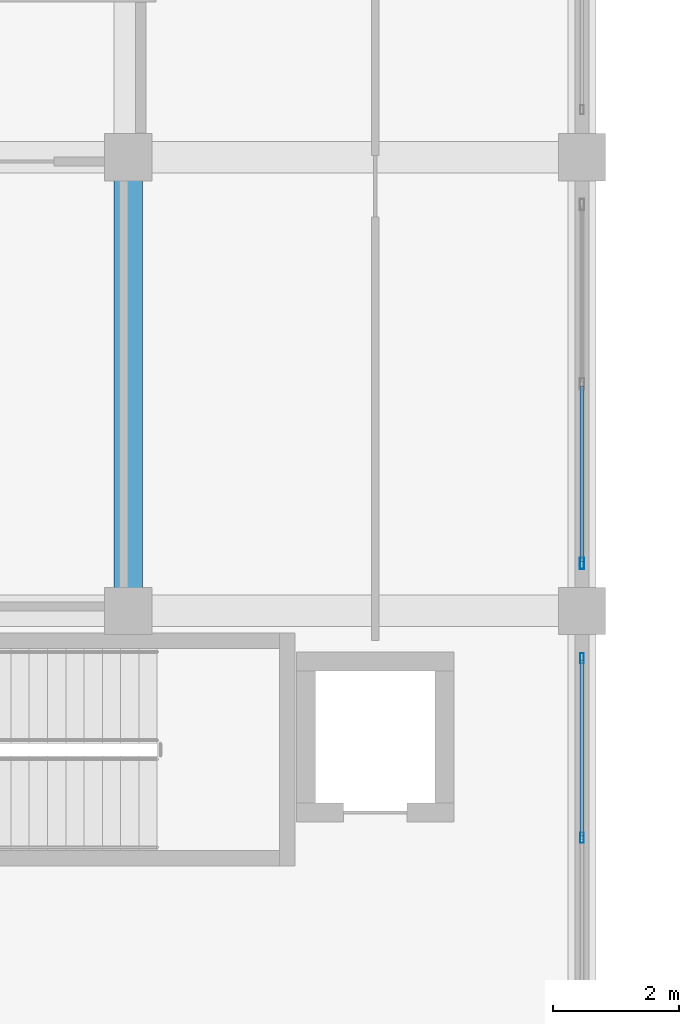
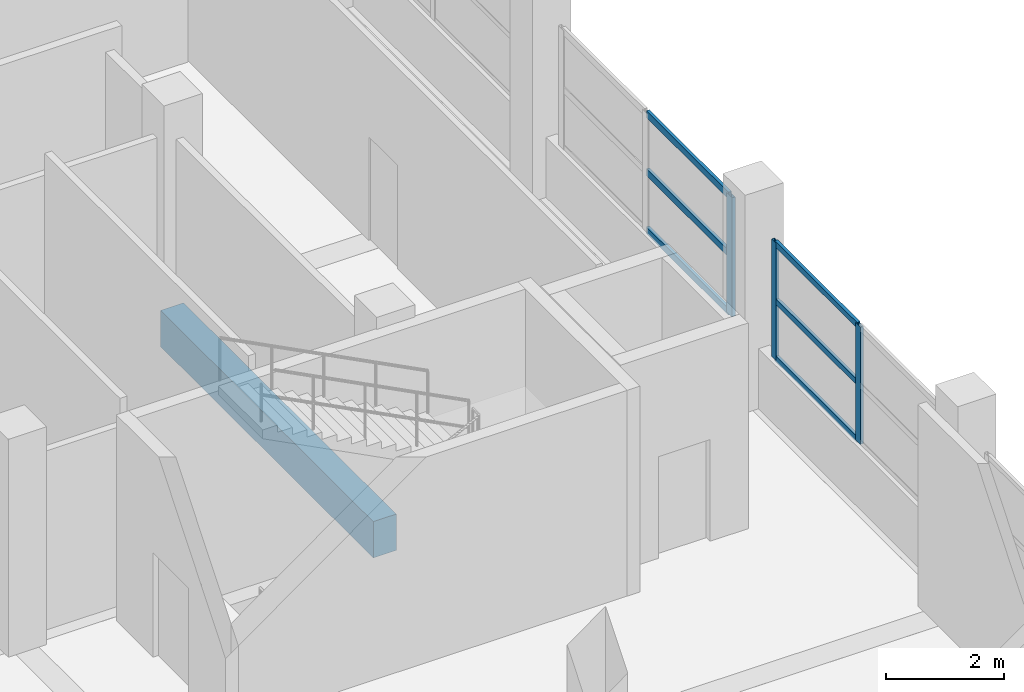
# One storey, part 20 of 141: 9 members, 1 beam, 2 elements without a shape of their own.
"""IFC4 building model written with IfcOpenShell, lengths in metres."""

from ifc_helpers import new_model, si_unit, direction, frame, origin, origin_2d, place, context, subcontext, project, spatial, rectangle, hollow_rectangle, extrude, material, layer, layer_set, material_profile, profile_set, type_object, element, aggregate, save


model = new_model("IFC4")

# Units and contexts
model_context = context("Model", 3, precision=1e-05, world=origin(), true_north=direction((0.0, 1.0)))
body_context = subcontext(model_context, "Body", "Model", "MODEL_VIEW")
ifc_project = project(units=[si_unit("LENGTHUNIT", "METRE"), si_unit("AREAUNIT", "SQUARE_METRE"), si_unit("VOLUMEUNIT", "CUBIC_METRE"), si_unit("PLANEANGLEUNIT", "RADIAN"), si_unit("MASSUNIT", "GRAM", prefix="KILO")], contexts=[model_context])

# Site, building, storey
site_placement = place(None, origin())
site = spatial("IfcSite", under=ifc_project, at=site_placement, CompositionType="ELEMENT")
building_placement = place(site_placement, origin())
building = spatial("IfcBuilding", under=site, at=building_placement, Name="Seraya Terrace Polytechnic", CompositionType="ELEMENT")
storey_placement = place(building_placement, frame((0.0, 0.0, 14.39990234375)))
storey = spatial("IfcBuildingStorey", under=building, at=storey_placement, Name="L03", CompositionType="ELEMENT", Elevation=14.39990234375)

# Beam
ifc_material_1 = material(Name="Concrete C40/50", Category="concrete")
ifc_material_profile_1 = material_profile(ifc_material_1, rectangle(XDim=0.449951171875, YDim=0.75, at=origin_2d()), Name="RC 450x750")
ifc_profile_set_1 = profile_set([ifc_material_profile_1], Name="Concrete C40/50")
beam_type = type_object("IfcBeamType", Name="BM-08", PredefinedType="BEAM", material=ifc_profile_set_1)
beam_placement = place(storey_placement, frame((36.0, 43.199951171875, -0.375), z_axis=(0.0, 1.0, 0.0), x_axis=(-1.0, 0.0, 0.0)))
element("IfcBeam", 1, at=beam_placement, inside=storey, type_object=beam_type, Name="Beam BM-08 L03 Y (36.0, 43.2..50.4)", PredefinedType="BEAM", context=body_context, shape_type="SweptSolid", body=[
    extrude(rectangle(XDim=0.449951171875, YDim=0.75, at=origin_2d()), origin(), (0.0, 0.0, 1.0), 7.199951171875),
])

# Curtain wall, member
ifc_material_2 = material(Name="Anodised aluminium EN AW-6063 T6", Category="aluminium")
ifc_layer_1 = layer(ifc_material_2, 0.179931640625, Name="CW-04")
ifc_layer_set_1 = layer_set([ifc_layer_1], Name="Anodised aluminium EN AW-6063 T6")
curtain_wall_type_1 = type_object("IfcCurtainWallType", Name="CW-04", PredefinedType="NOTDEFINED", material=ifc_layer_set_1)
curtain_wall_1_placement = place(storey_placement, origin())
curtain_wall_1 = element("IfcCurtainWall", 2, at=curtain_wall_1_placement, inside=storey, type_object=curtain_wall_type_1, Name="Unitised curtain wall CW-04 (CW-L03-148)", PredefinedType="NOTDEFINED")
ifc_material_profile_2 = material_profile(ifc_material_2, hollow_rectangle(XDim=0.06494140625, YDim=0.179931640625, WallThickness=0.00390625, at=origin_2d()), Name="RHS 180x65x4.0")
ifc_profile_set_2 = profile_set([ifc_material_profile_2], Name="Anodised aluminium EN AW-6063 T6")
member_type_1 = type_object("IfcMemberType", Name="CWM-01", PredefinedType="MULLION", material=ifc_profile_set_2)
member_1_placement = place(storey_placement, frame((43.199951171875, 43.952392578125, 1.239990234375), z_axis=(0.0, 0.0, 1.0), x_axis=(1.0, 0.0, 0.0)))
member_1 = element("IfcMember", 3, at=member_1_placement, type_object=member_type_1, Name="CW-04 mullion 3", PredefinedType="MULLION", context=body_context, shape_type="SweptSolid", body=[
    extrude(hollow_rectangle(XDim=0.06494140625, YDim=0.179931640625, WallThickness=0.00390625, at=origin_2d()), origin(), (0.0, 0.0, 1.0), 2.460205078125),
])

# Curtain wall, members
ifc_layer_2 = layer(ifc_material_2, 0.179931640625, Name="CW-05")
ifc_layer_set_2 = layer_set([ifc_layer_2], Name="Anodised aluminium EN AW-6063 T6")
curtain_wall_type_2 = type_object("IfcCurtainWallType", Name="CW-05", PredefinedType="NOTDEFINED", material=ifc_layer_set_2)
curtain_wall_2_placement = place(storey_placement, origin())
curtain_wall_2 = element("IfcCurtainWall", 4, at=curtain_wall_2_placement, inside=storey, type_object=curtain_wall_type_2, Name="Unitised curtain wall CW-05 (CW-L03-149)", PredefinedType="NOTDEFINED")
ifc_material_profile_3 = material_profile(ifc_material_2, hollow_rectangle(XDim=0.06005859375, YDim=0.159912109375, WallThickness=0.00341796875, at=origin_2d()), Name="RHS 160x60x3.5")
ifc_profile_set_3 = profile_set([ifc_material_profile_3], Name="Anodised aluminium EN AW-6063 T6")
member_type_2 = type_object("IfcMemberType", Name="CWM-02", PredefinedType="MULLION", material=ifc_profile_set_3)
member_2_placement = place(storey_placement, frame((43.199951171875, 42.449951171875, 1.239990234375), z_axis=(0.0, 0.0, 1.0), x_axis=(1.0, 0.0, 0.0)))
member_2 = element("IfcMember", 5, at=member_2_placement, type_object=member_type_2, Name="CW-05 mullion 1", PredefinedType="MULLION", context=body_context, shape_type="SweptSolid", body=[
    extrude(hollow_rectangle(XDim=0.06005859375, YDim=0.159912109375, WallThickness=0.00341796875, at=origin_2d()), origin(), (0.0, 0.0, 1.0), 2.420166015625),
])
member_3_placement = place(storey_placement, frame((43.199951171875, 39.60009765625, 1.239990234375), z_axis=(0.0, 0.0, 1.0), x_axis=(1.0, 0.0, 0.0)))
member_3 = element("IfcMember", 6, at=member_3_placement, type_object=member_type_2, Name="CW-05 mullion 2", PredefinedType="MULLION", context=body_context, shape_type="SweptSolid", body=[
    extrude(hollow_rectangle(XDim=0.06005859375, YDim=0.159912109375, WallThickness=0.00341796875, at=origin_2d()), origin(), (0.0, 0.0, 1.0), 2.420166015625),
])

# Member
ifc_material_profile_4 = material_profile(ifc_material_2, hollow_rectangle(XDim=0.06005859375, YDim=0.139892578125, WallThickness=0.00341796875, at=origin_2d()), Name="RHS 140x60x3.5")
ifc_profile_set_4 = profile_set([ifc_material_profile_4], Name="Anodised aluminium EN AW-6063 T6")
member_type_3 = type_object("IfcMemberType", Name="CWT-01", PredefinedType="USERDEFINED", material=ifc_profile_set_4)
member_4_placement = place(storey_placement, frame((43.199951171875, 46.767578125, 1.27001953125), z_axis=(0.0, -1.0, 0.0), x_axis=(1.0, 0.0, 0.0)))
member_4 = element("IfcMember", 7, at=member_4_placement, type_object=member_type_3, Name="CW-04 transom 2.1", ObjectType="TRANSOM", PredefinedType="USERDEFINED", context=body_context, shape_type="SweptSolid", body=[
    extrude(hollow_rectangle(XDim=0.06005859375, YDim=0.139892578125, WallThickness=0.00341796875, at=origin_2d()), origin(), (0.0, 0.0, 1.0), 2.782470703125),
])

member_5_placement = place(storey_placement, frame((43.199951171875, 46.767578125, 2.47021484375), z_axis=(0.0, -1.0, 0.0), x_axis=(1.0, 0.0, 0.0)))
member_5 = element("IfcMember", 8, at=member_5_placement, type_object=member_type_3, Name="CW-04 transom 2.2", ObjectType="TRANSOM", PredefinedType="USERDEFINED", context=body_context, shape_type="SweptSolid", body=[
    extrude(hollow_rectangle(XDim=0.06005859375, YDim=0.139892578125, WallThickness=0.00341796875, at=origin_2d()), origin(), (0.0, 0.0, 1.0), 2.782470703125),
])

member_6_placement = place(storey_placement, frame((43.199951171875, 46.767578125, 3.670166015625), z_axis=(0.0, -1.0, 0.0), x_axis=(1.0, 0.0, 0.0)))
member_6 = element("IfcMember", 9, at=member_6_placement, type_object=member_type_3, Name="CW-04 transom 2.3", ObjectType="TRANSOM", PredefinedType="USERDEFINED", context=body_context, shape_type="SweptSolid", body=[
    extrude(hollow_rectangle(XDim=0.06005859375, YDim=0.139892578125, WallThickness=0.00341796875, at=origin_2d()), origin(), (0.0, 0.0, 1.0), 2.782470703125),
])

aggregate(curtain_wall_1, [member_1, member_4, member_5, member_6])

ifc_material_profile_5 = material_profile(ifc_material_2, hollow_rectangle(XDim=0.06005859375, YDim=0.1201171875, WallThickness=0.003173828125, at=origin_2d()), Name="RHS 120x60x3.2")
ifc_profile_set_5 = profile_set([ifc_material_profile_5], Name="Anodised aluminium EN AW-6063 T6")
member_type_4 = type_object("IfcMemberType", Name="CWT-02", PredefinedType="USERDEFINED", material=ifc_profile_set_5)
member_7_placement = place(storey_placement, frame((43.199951171875, 42.419921875, 1.27001953125), z_axis=(0.0, -1.0, 0.0), x_axis=(1.0, 0.0, 0.0)))
member_7 = element("IfcMember", 10, at=member_7_placement, type_object=member_type_4, Name="CW-05 transom 1.1", ObjectType="TRANSOM", PredefinedType="USERDEFINED", context=body_context, shape_type="SweptSolid", body=[
    extrude(hollow_rectangle(XDim=0.06005859375, YDim=0.1201171875, WallThickness=0.003173828125, at=origin_2d()), origin(), (0.0, 0.0, 1.0), 2.7900390625),
])

member_8_placement = place(storey_placement, frame((43.199951171875, 42.419921875, 2.4501953125), z_axis=(0.0, -1.0, 0.0), x_axis=(1.0, 0.0, 0.0)))
member_8 = element("IfcMember", 11, at=member_8_placement, type_object=member_type_4, Name="CW-05 transom 1.2", ObjectType="TRANSOM", PredefinedType="USERDEFINED", context=body_context, shape_type="SweptSolid", body=[
    extrude(hollow_rectangle(XDim=0.06005859375, YDim=0.1201171875, WallThickness=0.003173828125, at=origin_2d()), origin(), (0.0, 0.0, 1.0), 2.7900390625),
])

member_9_placement = place(storey_placement, frame((43.199951171875, 42.419921875, 3.630126953125), z_axis=(0.0, -1.0, 0.0), x_axis=(1.0, 0.0, 0.0)))
member_9 = element("IfcMember", 12, at=member_9_placement, type_object=member_type_4, Name="CW-05 transom 1.3", ObjectType="TRANSOM", PredefinedType="USERDEFINED", context=body_context, shape_type="SweptSolid", body=[
    extrude(hollow_rectangle(XDim=0.06005859375, YDim=0.1201171875, WallThickness=0.003173828125, at=origin_2d()), origin(), (0.0, 0.0, 1.0), 2.7900390625),
])

aggregate(curtain_wall_2, [member_2, member_3, member_7, member_8, member_9])

save(model, "model.ifc")
